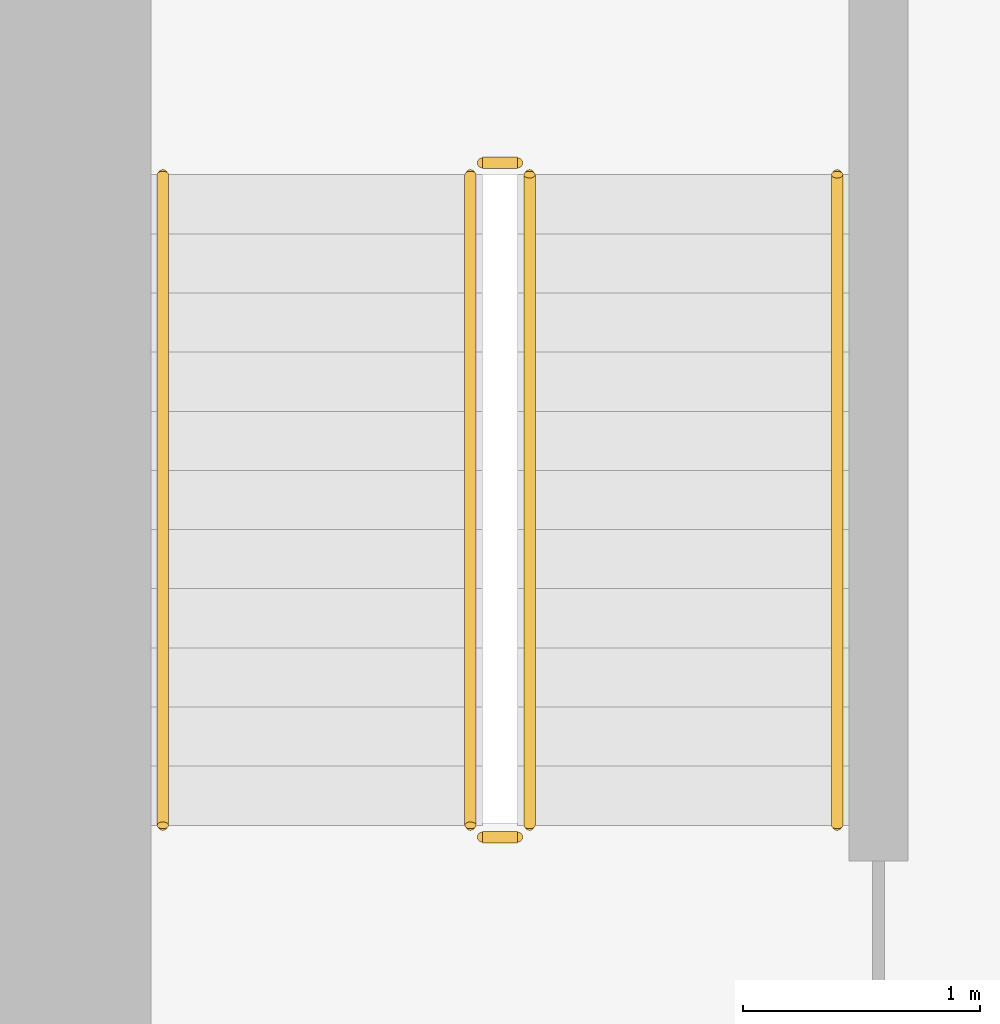
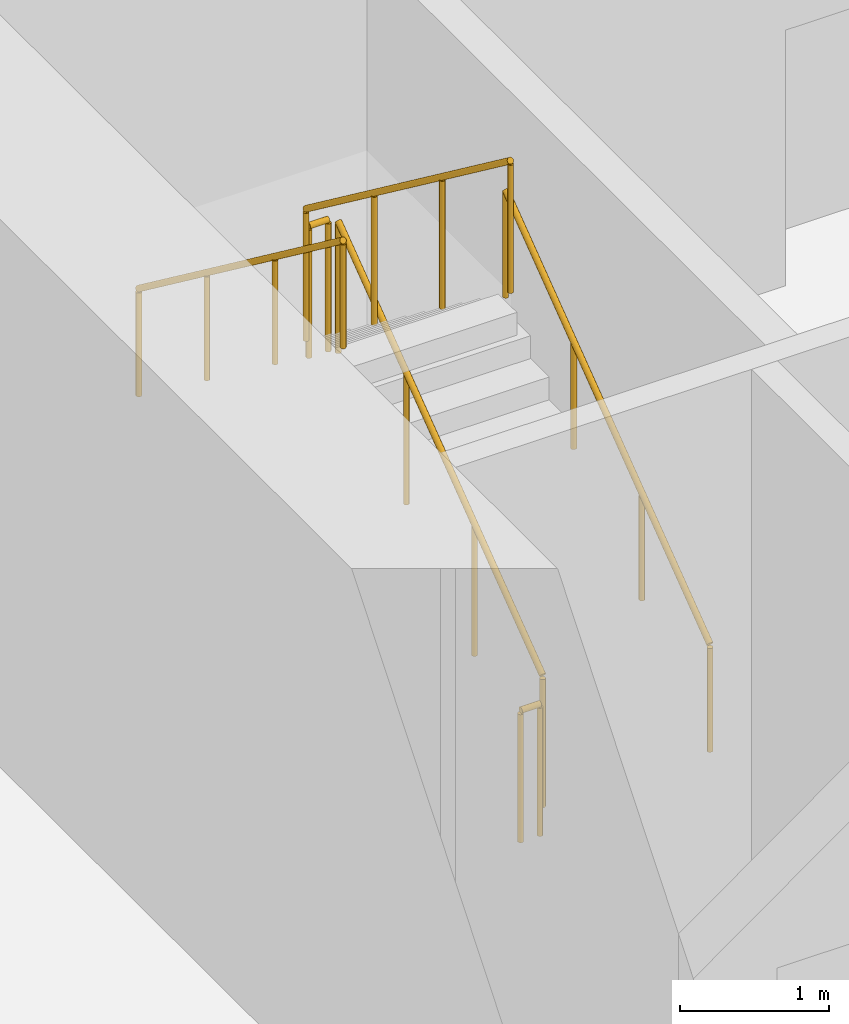
# One storey, part 9 of 12: 6 railings.
"""IFC4 building model written with IfcOpenShell, lengths in metres."""

from ifc_helpers import new_model, si_unit, direction, frame, origin, origin_2d, place, context, subcontext, project, spatial, circle, extrude, source, transform, mapped, material, type_object, element, save


model = new_model("IFC4")

# Units and contexts
model_context = context("Model", 3, precision=1e-05, world=origin(), true_north=direction((0.0, 1.0)))
body_context = subcontext(model_context, "Body", "Model", "MODEL_VIEW")
ifc_project = project(units=[si_unit("LENGTHUNIT", "METRE"), si_unit("AREAUNIT", "SQUARE_METRE"), si_unit("VOLUMEUNIT", "CUBIC_METRE"), si_unit("PLANEANGLEUNIT", "RADIAN"), si_unit("MASSUNIT", "GRAM", prefix="KILO")], contexts=[model_context])

# Site, building, storey
site_placement = place(None, origin())
site = spatial("IfcSite", under=ifc_project, at=site_placement, CompositionType="ELEMENT")
building_placement = place(site_placement, origin())
building = spatial("IfcBuilding", under=site, at=building_placement, Name="Aurelian Terraces", CompositionType="ELEMENT")
storey_placement = place(building_placement, frame((0.0, 0.0, -4.5)))
storey = spatial("IfcBuildingStorey", under=building, at=storey_placement, Name="B1", CompositionType="ELEMENT", Elevation=-4.5)

# Railings
ifc_material = material(Name="Stainless steel", Category="steel")
railing_type_1 = type_object("IfcRailingType", Name="Stair guard 1100", PredefinedType="GUARDRAIL", material=ifc_material)
shared_shape_1 = source(origin(), body_context, "Body", "SweptSolid", [
    extrude(circle(Radius=0.024, at=origin_2d()), frame((0.0, 0.0, 1.076), z_axis=(-1.0, 0.0, 0.0), x_axis=(0.0, -1.0, 0.0)), (0.0, 0.0, 1.0), 0.15),
    extrude(circle(Radius=0.021, at=origin_2d()), origin(), (0.0, 0.0, 1.0), 1.052),
    extrude(circle(Radius=0.021, at=origin_2d()), frame((-0.15, 0.0, 0.0)), (0.0, 0.0, 1.0), 1.052),
])
for number, where, name in (
    (1, (5.75, 19.1, 2.25), "B1 S1 stair guard 2"),
    (2, (5.75, 16.25, 0.0), "B1 S1 stair guard 4"),
):
    element("IfcRailing", number, at=place(storey_placement, frame(where)), inside=storey, type_object=railing_type_1, Name=name, PredefinedType="GUARDRAIL", context=body_context, shape_type="MappedRepresentation", body=[
        mapped(shared_shape_1, transform((0.0, 0.0, 0.0), scale=1.0)),
    ])
shared_shape_2 = source(origin(), body_context, "Body", "SweptSolid", [
    extrude(circle(Radius=0.024, at=origin_2d()), frame((0.0, 0.0, 1.076), z_axis=(0.0, 0.8, 0.6), x_axis=(-1.0, 0.0, 0.0)), (0.0, 0.0, 1.0), 3.4375),
    extrude(circle(Radius=0.021, at=origin_2d()), origin(), (0.0, 0.0, 1.0), 1.052),
    extrude(circle(Radius=0.021, at=origin_2d()), frame((0.0, 0.9167, 0.6875)), (0.0, 0.0, 1.0), 1.052),
    extrude(circle(Radius=0.021, at=origin_2d()), frame((0.0, 1.8333, 1.375)), (0.0, 0.0, 1.0), 1.052),
    extrude(circle(Radius=0.021, at=origin_2d()), frame((0.0, 2.75, 2.0625)), (0.0, 0.0, 1.0), 1.052),
])
railing_1_placement = place(storey_placement, frame((5.8, 16.3, 0.1875)))
element("IfcRailing", 3, at=railing_1_placement, inside=storey, type_object=railing_type_1, Name="B1 S1 stair guard 1", PredefinedType="GUARDRAIL", context=body_context, shape_type="MappedRepresentation", body=[
    mapped(shared_shape_2, transform((0.0, 0.0, 0.0), scale=1.0)),
])
shared_shape_3 = source(origin(), body_context, "Body", "SweptSolid", [
    extrude(circle(Radius=0.024, at=origin_2d()), frame((0.0, 0.0, 1.076), z_axis=(0.0, -0.8, 0.6), x_axis=(1.0, 0.0, 0.0)), (0.0, 0.0, 1.0), 3.4375),
    extrude(circle(Radius=0.021, at=origin_2d()), origin(), (0.0, 0.0, 1.0), 1.052),
    extrude(circle(Radius=0.021, at=origin_2d()), frame((0.0, -0.9167, 0.6875)), (0.0, 0.0, 1.0), 1.052),
    extrude(circle(Radius=0.021, at=origin_2d()), frame((0.0, -1.8333, 1.375)), (0.0, 0.0, 1.0), 1.052),
    extrude(circle(Radius=0.021, at=origin_2d()), frame((0.0, -2.75, 2.0625)), (0.0, 0.0, 1.0), 1.052),
])
railing_2_placement = place(storey_placement, frame((5.55, 19.05, 2.4375)))
element("IfcRailing", 4, at=railing_2_placement, inside=storey, type_object=railing_type_1, Name="B1 S1 stair guard 3", PredefinedType="GUARDRAIL", context=body_context, shape_type="MappedRepresentation", body=[
    mapped(shared_shape_3, transform((0.0, 0.0, 0.0), scale=1.0)),
])
railing_type_2 = type_object("IfcRailingType", Name="Stair handrail", PredefinedType="HANDRAIL", material=ifc_material)
shared_shape_4 = source(origin(), body_context, "Body", "SweptSolid", [
    extrude(circle(Radius=0.024, at=origin_2d()), frame((0.0, 0.0, 0.876), z_axis=(0.0, 0.8, 0.6), x_axis=(-1.0, 0.0, 0.0)), (0.0, 0.0, 1.0), 3.4375),
    extrude(circle(Radius=0.021, at=origin_2d()), origin(), (0.0, 0.0, 1.0), 0.852),
    extrude(circle(Radius=0.021, at=origin_2d()), frame((0.0, 0.9167, 0.6875)), (0.0, 0.0, 1.0), 0.852),
    extrude(circle(Radius=0.021, at=origin_2d()), frame((0.0, 1.8333, 1.375)), (0.0, 0.0, 1.0), 0.852),
    extrude(circle(Radius=0.021, at=origin_2d()), frame((0.0, 2.75, 2.0625)), (0.0, 0.0, 1.0), 0.852),
])
railing_3_placement = place(storey_placement, frame((7.1, 16.3, 0.1875)))
element("IfcRailing", 5, at=railing_3_placement, inside=storey, type_object=railing_type_2, Name="B1 S1 stair handrail 1", PredefinedType="HANDRAIL", context=body_context, shape_type="MappedRepresentation", body=[
    mapped(shared_shape_4, transform((0.0, 0.0, 0.0), scale=1.0)),
])
shared_shape_5 = source(origin(), body_context, "Body", "SweptSolid", [
    extrude(circle(Radius=0.024, at=origin_2d()), frame((0.0, 0.0, 0.876), z_axis=(0.0, -0.8, 0.6), x_axis=(1.0, 0.0, 0.0)), (0.0, 0.0, 1.0), 3.4375),
    extrude(circle(Radius=0.021, at=origin_2d()), origin(), (0.0, 0.0, 1.0), 0.852),
    extrude(circle(Radius=0.021, at=origin_2d()), frame((0.0, -0.9167, 0.6875)), (0.0, 0.0, 1.0), 0.852),
    extrude(circle(Radius=0.021, at=origin_2d()), frame((0.0, -1.8333, 1.375)), (0.0, 0.0, 1.0), 0.852),
    extrude(circle(Radius=0.021, at=origin_2d()), frame((0.0, -2.75, 2.0625)), (0.0, 0.0, 1.0), 0.852),
])
railing_4_placement = place(storey_placement, frame((4.25, 19.05, 2.4375)))
element("IfcRailing", 6, at=railing_4_placement, inside=storey, type_object=railing_type_2, Name="B1 S1 stair handrail 2", PredefinedType="HANDRAIL", context=body_context, shape_type="MappedRepresentation", body=[
    mapped(shared_shape_5, transform((0.0, 0.0, 0.0), scale=1.0)),
])

save(model, "model.ifc")
